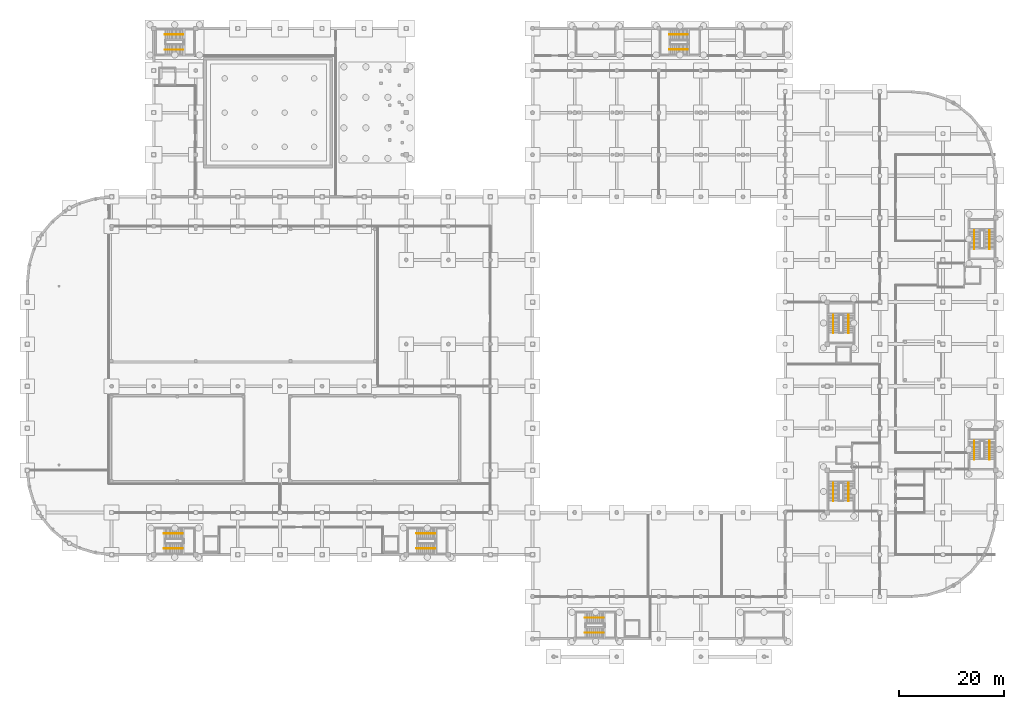
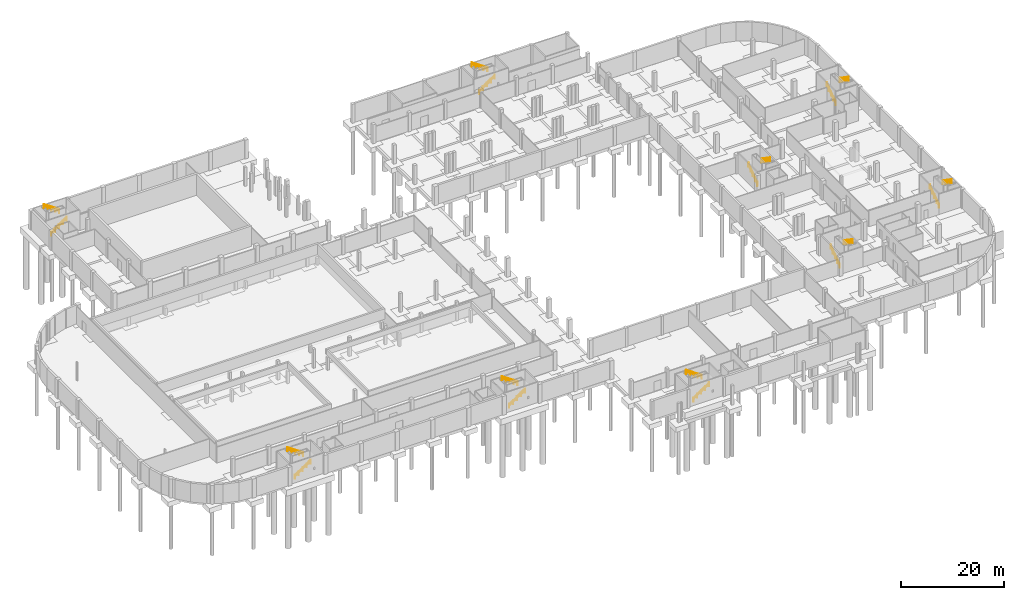
# One storey, part 29 of 29: 18 railings.
"""IFC4 building model written with IfcOpenShell, lengths in metres."""

from ifc_helpers import new_model, si_unit, direction, frame, origin, origin_2d, place, context, subcontext, project, spatial, circle, extrude, material, type_object, element, save


model = new_model("IFC4")

# Units and contexts
model_context = context("Model", 3, precision=1e-05, world=origin(), true_north=direction((0.0, 1.0)))
body_context = subcontext(model_context, "Body", "Model", "MODEL_VIEW")
ifc_project = project(units=[si_unit("LENGTHUNIT", "METRE"), si_unit("AREAUNIT", "SQUARE_METRE"), si_unit("VOLUMEUNIT", "CUBIC_METRE"), si_unit("PLANEANGLEUNIT", "RADIAN"), si_unit("MASSUNIT", "GRAM", prefix="KILO")], contexts=[model_context])

# Site, building, storey
site_placement = place(None, origin())
site = spatial("IfcSite", under=ifc_project, at=site_placement, CompositionType="ELEMENT")
building_placement = place(site_placement, origin())
building = spatial("IfcBuilding", under=site, at=building_placement, Name="Drelvana Railside Aquatics Centre", CompositionType="ELEMENT")
storey_placement = place(building_placement, frame((0.0, 0.0, -4.800048828125)))
storey = spatial("IfcBuildingStorey", under=building, at=storey_placement, Name="B1", CompositionType="ELEMENT", Elevation=-4.800048828125)

# Railings
ifc_material = material(Name="Brushed stainless steel stair pitch handrail", Category="steel")
railing_type = type_object("IfcRailingType", Name="RAL-HANDRAIL-950", PredefinedType="HANDRAIL", material=ifc_material)
railing_1_placement = place(storey_placement, frame((25.969970703125, 17.175048828125, 0.0)))
element("IfcRailing", 1, at=railing_1_placement, inside=storey, type_object=railing_type, Name="Stair ST-01 flight 1 handrail (B1)", PredefinedType="HANDRAIL", context=body_context, shape_type="SweptSolid", body=[
    extrude(circle(Radius=0.02392578125, at=origin_2d()), frame((0.0, 0.0, 0.92578125), z_axis=(0.824712752785, 0.0, 0.565551832633), x_axis=(0.0, 1.0, 0.0)), (0.0, 0.0, 1.0), 4.243896484375),
    extrude(circle(Radius=0.02392578125, at=origin_2d()), frame((0.0, 0.0, 0.47509765625), z_axis=(0.824712752785, 0.0, 0.565551832633), x_axis=(0.0, 1.0, 0.0)), (0.0, 0.0, 1.0), 4.243896484375),
    extrude(circle(Radius=0.02099609375, at=origin_2d()), origin(), (0.0, 0.0, 1.0), 0.90185546875),
    extrude(circle(Radius=0.02099609375, at=origin_2d()), frame((0.875, 0.0, 0.60009765625)), (0.0, 0.0, 1.0), 0.90185546875),
    extrude(circle(Radius=0.02099609375, at=origin_2d()), frame((1.75, 0.0, 1.2001953125)), (0.0, 0.0, 1.0), 0.90185546875),
    extrude(circle(Radius=0.02099609375, at=origin_2d()), frame((2.625, 0.0, 1.800048828125)), (0.0, 0.0, 1.0), 0.90185546875),
    extrude(circle(Radius=0.02099609375, at=origin_2d()), frame((3.5, 0.0, 2.400146484375)), (0.0, 0.0, 1.0), 0.90185546875),
])
railing_2_placement = place(storey_placement, frame((29.469970703125, 20.02490234375, 2.400146484375)))
element("IfcRailing", 2, at=railing_2_placement, inside=storey, type_object=railing_type, Name="Stair ST-01 flight 2 handrail (B1)", PredefinedType="HANDRAIL", context=body_context, shape_type="SweptSolid", body=[
    extrude(circle(Radius=0.02392578125, at=origin_2d()), frame((0.0, 0.0, 0.92578125), z_axis=(-0.824739584531, 0.0, 0.5655127034), x_axis=(0.0, -1.0, 0.0)), (0.0, 0.0, 1.0), 4.24365234375),
    extrude(circle(Radius=0.02392578125, at=origin_2d()), frame((0.0, 0.0, 0.47509765625), z_axis=(-0.824739584531, 0.0, 0.5655127034), x_axis=(0.0, -1.0, 0.0)), (0.0, 0.0, 1.0), 4.24365234375),
    extrude(circle(Radius=0.02099609375, at=origin_2d()), origin(), (0.0, 0.0, 1.0), 0.90185546875),
    extrude(circle(Radius=0.02099609375, at=origin_2d()), frame((-0.875, 0.0, 0.60009765625)), (0.0, 0.0, 1.0), 0.90185546875),
    extrude(circle(Radius=0.02099609375, at=origin_2d()), frame((-1.75, 0.0, 1.199951171875)), (0.0, 0.0, 1.0), 0.90185546875),
    extrude(circle(Radius=0.02099609375, at=origin_2d()), frame((-2.625, 0.0, 1.7998046875)), (0.0, 0.0, 1.0), 0.90185546875),
    extrude(circle(Radius=0.02099609375, at=origin_2d()), frame((-3.5, 0.0, 2.39990234375)), (0.0, 0.0, 1.0), 0.90185546875),
])
railing_3_placement = place(storey_placement, frame((73.969970703125, 17.175048828125, 0.0)))
element("IfcRailing", 3, at=railing_3_placement, inside=storey, type_object=railing_type, Name="Stair ST-02 flight 1 handrail (B1)", PredefinedType="HANDRAIL", context=body_context, shape_type="SweptSolid", body=[
    extrude(circle(Radius=0.02392578125, at=origin_2d()), frame((0.0, 0.0, 0.92578125), z_axis=(0.824712752785, 0.0, 0.565551832633), x_axis=(0.0, 1.0, 0.0)), (0.0, 0.0, 1.0), 4.243896484375),
    extrude(circle(Radius=0.02392578125, at=origin_2d()), frame((0.0, 0.0, 0.47509765625), z_axis=(0.824712752785, 0.0, 0.565551832633), x_axis=(0.0, 1.0, 0.0)), (0.0, 0.0, 1.0), 4.243896484375),
    extrude(circle(Radius=0.02099609375, at=origin_2d()), origin(), (0.0, 0.0, 1.0), 0.90185546875),
    extrude(circle(Radius=0.02099609375, at=origin_2d()), frame((0.875, 0.0, 0.60009765625)), (0.0, 0.0, 1.0), 0.90185546875),
    extrude(circle(Radius=0.02099609375, at=origin_2d()), frame((1.75, 0.0, 1.2001953125)), (0.0, 0.0, 1.0), 0.90185546875),
    extrude(circle(Radius=0.02099609375, at=origin_2d()), frame((2.625, 0.0, 1.800048828125)), (0.0, 0.0, 1.0), 0.90185546875),
    extrude(circle(Radius=0.02099609375, at=origin_2d()), frame((3.5, 0.0, 2.400146484375)), (0.0, 0.0, 1.0), 0.90185546875),
])
railing_4_placement = place(storey_placement, frame((77.469970703125, 20.02490234375, 2.400146484375)))
element("IfcRailing", 4, at=railing_4_placement, inside=storey, type_object=railing_type, Name="Stair ST-02 flight 2 handrail (B1)", PredefinedType="HANDRAIL", context=body_context, shape_type="SweptSolid", body=[
    extrude(circle(Radius=0.02392578125, at=origin_2d()), frame((0.0, 0.0, 0.92578125), z_axis=(-0.824739584531, 0.0, 0.5655127034), x_axis=(0.0, -1.0, 0.0)), (0.0, 0.0, 1.0), 4.24365234375),
    extrude(circle(Radius=0.02392578125, at=origin_2d()), frame((0.0, 0.0, 0.47509765625), z_axis=(-0.824739584531, 0.0, 0.5655127034), x_axis=(0.0, -1.0, 0.0)), (0.0, 0.0, 1.0), 4.24365234375),
    extrude(circle(Radius=0.02099609375, at=origin_2d()), origin(), (0.0, 0.0, 1.0), 0.90185546875),
    extrude(circle(Radius=0.02099609375, at=origin_2d()), frame((-0.875, 0.0, 0.60009765625)), (0.0, 0.0, 1.0), 0.90185546875),
    extrude(circle(Radius=0.02099609375, at=origin_2d()), frame((-1.75, 0.0, 1.199951171875)), (0.0, 0.0, 1.0), 0.90185546875),
    extrude(circle(Radius=0.02099609375, at=origin_2d()), frame((-2.625, 0.0, 1.7998046875)), (0.0, 0.0, 1.0), 0.90185546875),
    extrude(circle(Radius=0.02099609375, at=origin_2d()), frame((-3.5, 0.0, 2.39990234375)), (0.0, 0.0, 1.0), 0.90185546875),
])
railing_5_placement = place(storey_placement, frame((26.1201171875, 111.949951171875, 0.0)))
element("IfcRailing", 5, at=railing_5_placement, inside=storey, type_object=railing_type, Name="Stair ST-03 flight 1 handrail (B1)", PredefinedType="HANDRAIL", context=body_context, shape_type="SweptSolid", body=[
    extrude(circle(Radius=0.02392578125, at=origin_2d()), frame((0.0, 0.0, 0.92578125), z_axis=(0.824712752785, 0.0, 0.565551832633), x_axis=(0.0, 1.0, 0.0)), (0.0, 0.0, 1.0), 4.243896484375),
    extrude(circle(Radius=0.02392578125, at=origin_2d()), frame((0.0, 0.0, 0.47509765625), z_axis=(0.824712752785, 0.0, 0.565551832633), x_axis=(0.0, 1.0, 0.0)), (0.0, 0.0, 1.0), 4.243896484375),
    extrude(circle(Radius=0.02099609375, at=origin_2d()), origin(), (0.0, 0.0, 1.0), 0.90185546875),
    extrude(circle(Radius=0.02099609375, at=origin_2d()), frame((0.875, 0.0, 0.60009765625)), (0.0, 0.0, 1.0), 0.90185546875),
    extrude(circle(Radius=0.02099609375, at=origin_2d()), frame((1.75, 0.0, 1.2001953125)), (0.0, 0.0, 1.0), 0.90185546875),
    extrude(circle(Radius=0.02099609375, at=origin_2d()), frame((2.625, 0.0, 1.800048828125)), (0.0, 0.0, 1.0), 0.90185546875),
    extrude(circle(Radius=0.02099609375, at=origin_2d()), frame((3.5, 0.0, 2.400146484375)), (0.0, 0.0, 1.0), 0.90185546875),
])
railing_6_placement = place(storey_placement, frame((29.6201171875, 114.85009765625, 2.400146484375)))
element("IfcRailing", 6, at=railing_6_placement, inside=storey, type_object=railing_type, Name="Stair ST-03 flight 2 handrail (B1)", PredefinedType="HANDRAIL", context=body_context, shape_type="SweptSolid", body=[
    extrude(circle(Radius=0.02392578125, at=origin_2d()), frame((0.0, 0.0, 0.92578125), z_axis=(-0.824739584531, 0.0, 0.5655127034), x_axis=(0.0, -1.0, 0.0)), (0.0, 0.0, 1.0), 4.24365234375),
    extrude(circle(Radius=0.02392578125, at=origin_2d()), frame((0.0, 0.0, 0.47509765625), z_axis=(-0.824739584531, 0.0, 0.5655127034), x_axis=(0.0, -1.0, 0.0)), (0.0, 0.0, 1.0), 4.24365234375),
    extrude(circle(Radius=0.02099609375, at=origin_2d()), origin(), (0.0, 0.0, 1.0), 0.90185546875),
    extrude(circle(Radius=0.02099609375, at=origin_2d()), frame((-0.875, 0.0, 0.60009765625)), (0.0, 0.0, 1.0), 0.90185546875),
    extrude(circle(Radius=0.02099609375, at=origin_2d()), frame((-1.75, 0.0, 1.199951171875)), (0.0, 0.0, 1.0), 0.90185546875),
    extrude(circle(Radius=0.02099609375, at=origin_2d()), frame((-2.625, 0.0, 1.7998046875)), (0.0, 0.0, 1.0), 0.90185546875),
    extrude(circle(Radius=0.02099609375, at=origin_2d()), frame((-3.5, 0.0, 2.39990234375)), (0.0, 0.0, 1.0), 0.90185546875),
])
railing_7_placement = place(storey_placement, frame((105.969970703125, 1.175048828125, 0.0)))
element("IfcRailing", 7, at=railing_7_placement, inside=storey, type_object=railing_type, Name="Stair ST-04 flight 1 handrail (B1)", PredefinedType="HANDRAIL", context=body_context, shape_type="SweptSolid", body=[
    extrude(circle(Radius=0.02392578125, at=origin_2d()), frame((0.0, 0.0, 0.92578125), z_axis=(0.824712752785, 0.0, 0.565551832633), x_axis=(0.0, 1.0, 0.0)), (0.0, 0.0, 1.0), 4.243896484375),
    extrude(circle(Radius=0.02392578125, at=origin_2d()), frame((0.0, 0.0, 0.47509765625), z_axis=(0.824712752785, 0.0, 0.565551832633), x_axis=(0.0, 1.0, 0.0)), (0.0, 0.0, 1.0), 4.243896484375),
    extrude(circle(Radius=0.02099609375, at=origin_2d()), origin(), (0.0, 0.0, 1.0), 0.90185546875),
    extrude(circle(Radius=0.02099609375, at=origin_2d()), frame((0.875, 0.0, 0.60009765625)), (0.0, 0.0, 1.0), 0.90185546875),
    extrude(circle(Radius=0.02099609375, at=origin_2d()), frame((1.75, 0.0, 1.2001953125)), (0.0, 0.0, 1.0), 0.90185546875),
    extrude(circle(Radius=0.02099609375, at=origin_2d()), frame((2.625, 0.0, 1.800048828125)), (0.0, 0.0, 1.0), 0.90185546875),
    extrude(circle(Radius=0.02099609375, at=origin_2d()), frame((3.5, 0.0, 2.400146484375)), (0.0, 0.0, 1.0), 0.90185546875),
])
railing_8_placement = place(storey_placement, frame((109.469970703125, 4.02490234375, 2.400146484375)))
element("IfcRailing", 8, at=railing_8_placement, inside=storey, type_object=railing_type, Name="Stair ST-04 flight 2 handrail (B1)", PredefinedType="HANDRAIL", context=body_context, shape_type="SweptSolid", body=[
    extrude(circle(Radius=0.02392578125, at=origin_2d()), frame((0.0, 0.0, 0.92578125), z_axis=(-0.824739584531, 0.0, 0.5655127034), x_axis=(0.0, -1.0, 0.0)), (0.0, 0.0, 1.0), 4.24365234375),
    extrude(circle(Radius=0.02392578125, at=origin_2d()), frame((0.0, 0.0, 0.47509765625), z_axis=(-0.824739584531, 0.0, 0.5655127034), x_axis=(0.0, -1.0, 0.0)), (0.0, 0.0, 1.0), 4.24365234375),
    extrude(circle(Radius=0.02099609375, at=origin_2d()), origin(), (0.0, 0.0, 1.0), 0.90185546875),
    extrude(circle(Radius=0.02099609375, at=origin_2d()), frame((-0.875, 0.0, 0.60009765625)), (0.0, 0.0, 1.0), 0.90185546875),
    extrude(circle(Radius=0.02099609375, at=origin_2d()), frame((-1.75, 0.0, 1.199951171875)), (0.0, 0.0, 1.0), 0.90185546875),
    extrude(circle(Radius=0.02099609375, at=origin_2d()), frame((-2.625, 0.0, 1.7998046875)), (0.0, 0.0, 1.0), 0.90185546875),
    extrude(circle(Radius=0.02099609375, at=origin_2d()), frame((-3.5, 0.0, 2.39990234375)), (0.0, 0.0, 1.0), 0.90185546875),
])
railing_9_placement = place(storey_placement, frame((121.969970703125, 111.97509765625, 0.0)))
element("IfcRailing", 9, at=railing_9_placement, inside=storey, type_object=railing_type, Name="Stair ST-05 flight 1 handrail (B1)", PredefinedType="HANDRAIL", context=body_context, shape_type="SweptSolid", body=[
    extrude(circle(Radius=0.02392578125, at=origin_2d()), frame((0.0, 0.0, 0.92578125), z_axis=(0.824712752785, 0.0, 0.565551832633), x_axis=(0.0, 1.0, 0.0)), (0.0, 0.0, 1.0), 4.243896484375),
    extrude(circle(Radius=0.02392578125, at=origin_2d()), frame((0.0, 0.0, 0.47509765625), z_axis=(0.824712752785, 0.0, 0.565551832633), x_axis=(0.0, 1.0, 0.0)), (0.0, 0.0, 1.0), 4.243896484375),
    extrude(circle(Radius=0.02099609375, at=origin_2d()), origin(), (0.0, 0.0, 1.0), 0.90185546875),
    extrude(circle(Radius=0.02099609375, at=origin_2d()), frame((0.875, 0.0, 0.60009765625)), (0.0, 0.0, 1.0), 0.90185546875),
    extrude(circle(Radius=0.02099609375, at=origin_2d()), frame((1.75, 0.0, 1.2001953125)), (0.0, 0.0, 1.0), 0.90185546875),
    extrude(circle(Radius=0.02099609375, at=origin_2d()), frame((2.625, 0.0, 1.800048828125)), (0.0, 0.0, 1.0), 0.90185546875),
    extrude(circle(Radius=0.02099609375, at=origin_2d()), frame((3.5, 0.0, 2.400146484375)), (0.0, 0.0, 1.0), 0.90185546875),
])
railing_10_placement = place(storey_placement, frame((125.469970703125, 114.824951171875, 2.400146484375)))
element("IfcRailing", 10, at=railing_10_placement, inside=storey, type_object=railing_type, Name="Stair ST-05 flight 2 handrail (B1)", PredefinedType="HANDRAIL", context=body_context, shape_type="SweptSolid", body=[
    extrude(circle(Radius=0.02392578125, at=origin_2d()), frame((0.0, 0.0, 0.92578125), z_axis=(-0.824739584531, 0.0, 0.5655127034), x_axis=(0.0, -1.0, 0.0)), (0.0, 0.0, 1.0), 4.24365234375),
    extrude(circle(Radius=0.02392578125, at=origin_2d()), frame((0.0, 0.0, 0.47509765625), z_axis=(-0.824739584531, 0.0, 0.5655127034), x_axis=(0.0, -1.0, 0.0)), (0.0, 0.0, 1.0), 4.24365234375),
    extrude(circle(Radius=0.02099609375, at=origin_2d()), origin(), (0.0, 0.0, 1.0), 0.90185546875),
    extrude(circle(Radius=0.02099609375, at=origin_2d()), frame((-0.875, 0.0, 0.60009765625)), (0.0, 0.0, 1.0), 0.90185546875),
    extrude(circle(Radius=0.02099609375, at=origin_2d()), frame((-1.75, 0.0, 1.199951171875)), (0.0, 0.0, 1.0), 0.90185546875),
    extrude(circle(Radius=0.02099609375, at=origin_2d()), frame((-2.625, 0.0, 1.7998046875)), (0.0, 0.0, 1.0), 0.90185546875),
    extrude(circle(Radius=0.02099609375, at=origin_2d()), frame((-3.5, 0.0, 2.39990234375)), (0.0, 0.0, 1.0), 0.90185546875),
])
railing_11_placement = place(storey_placement, frame((153.14990234375, 26.14990234375, 0.0)))
element("IfcRailing", 11, at=railing_11_placement, inside=storey, type_object=railing_type, Name="Stair ST-06 flight 1 handrail (B1)", PredefinedType="HANDRAIL", context=body_context, shape_type="SweptSolid", body=[
    extrude(circle(Radius=0.02392578125, at=origin_2d()), frame((0.0, 0.0, 0.92578125), z_axis=(0.0, 0.824712752785, 0.565551832633), x_axis=(-1.0, 0.0, 0.0)), (0.0, 0.0, 1.0), 4.243896484375),
    extrude(circle(Radius=0.02392578125, at=origin_2d()), frame((0.0, 0.0, 0.47509765625), z_axis=(0.0, 0.824712752785, 0.565551832633), x_axis=(-1.0, 0.0, 0.0)), (0.0, 0.0, 1.0), 4.243896484375),
    extrude(circle(Radius=0.02099609375, at=origin_2d()), origin(), (0.0, 0.0, 1.0), 0.90185546875),
    extrude(circle(Radius=0.02099609375, at=origin_2d()), frame((0.0, 0.875, 0.60009765625)), (0.0, 0.0, 1.0), 0.90185546875),
    extrude(circle(Radius=0.02099609375, at=origin_2d()), frame((0.0, 1.75, 1.2001953125)), (0.0, 0.0, 1.0), 0.90185546875),
    extrude(circle(Radius=0.02099609375, at=origin_2d()), frame((0.0, 2.625, 1.800048828125)), (0.0, 0.0, 1.0), 0.90185546875),
    extrude(circle(Radius=0.02099609375, at=origin_2d()), frame((0.0, 3.5, 2.400146484375)), (0.0, 0.0, 1.0), 0.90185546875),
])
railing_12_placement = place(storey_placement, frame((156.050048828125, 29.64990234375, 2.400146484375)))
element("IfcRailing", 12, at=railing_12_placement, inside=storey, type_object=railing_type, Name="Stair ST-06 flight 2 handrail (B1)", PredefinedType="HANDRAIL", context=body_context, shape_type="SweptSolid", body=[
    extrude(circle(Radius=0.02392578125, at=origin_2d()), frame((0.0, 0.0, 0.92578125), z_axis=(0.0, -0.824739584531, 0.5655127034), x_axis=(1.0, 0.0, 0.0)), (0.0, 0.0, 1.0), 4.24365234375),
    extrude(circle(Radius=0.02392578125, at=origin_2d()), frame((0.0, 0.0, 0.47509765625), z_axis=(0.0, -0.824739584531, 0.5655127034), x_axis=(1.0, 0.0, 0.0)), (0.0, 0.0, 1.0), 4.24365234375),
    extrude(circle(Radius=0.02099609375, at=origin_2d()), origin(), (0.0, 0.0, 1.0), 0.90185546875),
    extrude(circle(Radius=0.02099609375, at=origin_2d()), frame((0.0, -0.875, 0.60009765625)), (0.0, 0.0, 1.0), 0.90185546875),
    extrude(circle(Radius=0.02099609375, at=origin_2d()), frame((0.0, -1.75, 1.199951171875)), (0.0, 0.0, 1.0), 0.90185546875),
    extrude(circle(Radius=0.02099609375, at=origin_2d()), frame((0.0, -2.625, 1.7998046875)), (0.0, 0.0, 1.0), 0.90185546875),
    extrude(circle(Radius=0.02099609375, at=origin_2d()), frame((0.0, -3.5, 2.39990234375)), (0.0, 0.0, 1.0), 0.90185546875),
])
railing_13_placement = place(storey_placement, frame((179.949951171875, 74.090087890625, 0.0)))
element("IfcRailing", 13, at=railing_13_placement, inside=storey, type_object=railing_type, Name="Stair ST-07 flight 1 handrail (B1)", PredefinedType="HANDRAIL", context=body_context, shape_type="SweptSolid", body=[
    extrude(circle(Radius=0.02392578125, at=origin_2d()), frame((0.0, 0.0, 0.92578125), z_axis=(0.0, 0.824712752785, 0.565551832633), x_axis=(-1.0, 0.0, 0.0)), (0.0, 0.0, 1.0), 4.243896484375),
    extrude(circle(Radius=0.02392578125, at=origin_2d()), frame((0.0, 0.0, 0.47509765625), z_axis=(0.0, 0.824712752785, 0.565551832633), x_axis=(-1.0, 0.0, 0.0)), (0.0, 0.0, 1.0), 4.243896484375),
    extrude(circle(Radius=0.02099609375, at=origin_2d()), origin(), (0.0, 0.0, 1.0), 0.90185546875),
    extrude(circle(Radius=0.02099609375, at=origin_2d()), frame((0.0, 0.875, 0.60009765625)), (0.0, 0.0, 1.0), 0.90185546875),
    extrude(circle(Radius=0.02099609375, at=origin_2d()), frame((0.0, 1.75, 1.2001953125)), (0.0, 0.0, 1.0), 0.90185546875),
    extrude(circle(Radius=0.02099609375, at=origin_2d()), frame((0.0, 2.625, 1.800048828125)), (0.0, 0.0, 1.0), 0.90185546875),
    extrude(circle(Radius=0.02099609375, at=origin_2d()), frame((0.0, 3.5, 2.400146484375)), (0.0, 0.0, 1.0), 0.90185546875),
])
railing_14_placement = place(storey_placement, frame((182.85009765625, 77.590087890625, 2.400146484375)))
element("IfcRailing", 14, at=railing_14_placement, inside=storey, type_object=railing_type, Name="Stair ST-07 flight 2 handrail (B1)", PredefinedType="HANDRAIL", context=body_context, shape_type="SweptSolid", body=[
    extrude(circle(Radius=0.02392578125, at=origin_2d()), frame((0.0, 0.0, 0.92578125), z_axis=(0.0, -0.824739584531, 0.5655127034), x_axis=(1.0, 0.0, 0.0)), (0.0, 0.0, 1.0), 4.24365234375),
    extrude(circle(Radius=0.02392578125, at=origin_2d()), frame((0.0, 0.0, 0.47509765625), z_axis=(0.0, -0.824739584531, 0.5655127034), x_axis=(1.0, 0.0, 0.0)), (0.0, 0.0, 1.0), 4.24365234375),
    extrude(circle(Radius=0.02099609375, at=origin_2d()), origin(), (0.0, 0.0, 1.0), 0.90185546875),
    extrude(circle(Radius=0.02099609375, at=origin_2d()), frame((0.0, -0.875, 0.60009765625)), (0.0, 0.0, 1.0), 0.90185546875),
    extrude(circle(Radius=0.02099609375, at=origin_2d()), frame((0.0, -1.75, 1.199951171875)), (0.0, 0.0, 1.0), 0.90185546875),
    extrude(circle(Radius=0.02099609375, at=origin_2d()), frame((0.0, -2.625, 1.7998046875)), (0.0, 0.0, 1.0), 0.90185546875),
    extrude(circle(Radius=0.02099609375, at=origin_2d()), frame((0.0, -3.5, 2.39990234375)), (0.0, 0.0, 1.0), 0.90185546875),
])
railing_15_placement = place(storey_placement, frame((153.159912109375, 58.090087890625, 0.0)))
element("IfcRailing", 15, at=railing_15_placement, inside=storey, type_object=railing_type, Name="Stair ST-08 flight 1 handrail (B1)", PredefinedType="HANDRAIL", context=body_context, shape_type="SweptSolid", body=[
    extrude(circle(Radius=0.02392578125, at=origin_2d()), frame((0.0, 0.0, 0.92578125), z_axis=(0.0, 0.824712752785, 0.565551832633), x_axis=(-1.0, 0.0, 0.0)), (0.0, 0.0, 1.0), 4.243896484375),
    extrude(circle(Radius=0.02392578125, at=origin_2d()), frame((0.0, 0.0, 0.47509765625), z_axis=(0.0, 0.824712752785, 0.565551832633), x_axis=(-1.0, 0.0, 0.0)), (0.0, 0.0, 1.0), 4.243896484375),
    extrude(circle(Radius=0.02099609375, at=origin_2d()), origin(), (0.0, 0.0, 1.0), 0.90185546875),
    extrude(circle(Radius=0.02099609375, at=origin_2d()), frame((0.0, 0.875, 0.60009765625)), (0.0, 0.0, 1.0), 0.90185546875),
    extrude(circle(Radius=0.02099609375, at=origin_2d()), frame((0.0, 1.75, 1.2001953125)), (0.0, 0.0, 1.0), 0.90185546875),
    extrude(circle(Radius=0.02099609375, at=origin_2d()), frame((0.0, 2.625, 1.800048828125)), (0.0, 0.0, 1.0), 0.90185546875),
    extrude(circle(Radius=0.02099609375, at=origin_2d()), frame((0.0, 3.5, 2.400146484375)), (0.0, 0.0, 1.0), 0.90185546875),
])
railing_16_placement = place(storey_placement, frame((156.0400390625, 61.590087890625, 2.400146484375)))
element("IfcRailing", 16, at=railing_16_placement, inside=storey, type_object=railing_type, Name="Stair ST-08 flight 2 handrail (B1)", PredefinedType="HANDRAIL", context=body_context, shape_type="SweptSolid", body=[
    extrude(circle(Radius=0.02392578125, at=origin_2d()), frame((0.0, 0.0, 0.92578125), z_axis=(0.0, -0.824739584531, 0.5655127034), x_axis=(1.0, 0.0, 0.0)), (0.0, 0.0, 1.0), 4.24365234375),
    extrude(circle(Radius=0.02392578125, at=origin_2d()), frame((0.0, 0.0, 0.47509765625), z_axis=(0.0, -0.824739584531, 0.5655127034), x_axis=(1.0, 0.0, 0.0)), (0.0, 0.0, 1.0), 4.24365234375),
    extrude(circle(Radius=0.02099609375, at=origin_2d()), origin(), (0.0, 0.0, 1.0), 0.90185546875),
    extrude(circle(Radius=0.02099609375, at=origin_2d()), frame((0.0, -0.875, 0.60009765625)), (0.0, 0.0, 1.0), 0.90185546875),
    extrude(circle(Radius=0.02099609375, at=origin_2d()), frame((0.0, -1.75, 1.199951171875)), (0.0, 0.0, 1.0), 0.90185546875),
    extrude(circle(Radius=0.02099609375, at=origin_2d()), frame((0.0, -2.625, 1.7998046875)), (0.0, 0.0, 1.0), 0.90185546875),
    extrude(circle(Radius=0.02099609375, at=origin_2d()), frame((0.0, -3.5, 2.39990234375)), (0.0, 0.0, 1.0), 0.90185546875),
])
railing_17_placement = place(storey_placement, frame((179.9599609375, 34.090087890625, 0.0)))
element("IfcRailing", 17, at=railing_17_placement, inside=storey, type_object=railing_type, Name="Stair ST-09 flight 1 handrail (B1)", PredefinedType="HANDRAIL", context=body_context, shape_type="SweptSolid", body=[
    extrude(circle(Radius=0.02392578125, at=origin_2d()), frame((0.0, 0.0, 0.92578125), z_axis=(0.0, 0.824712752785, 0.565551832633), x_axis=(-1.0, 0.0, 0.0)), (0.0, 0.0, 1.0), 4.243896484375),
    extrude(circle(Radius=0.02392578125, at=origin_2d()), frame((0.0, 0.0, 0.47509765625), z_axis=(0.0, 0.824712752785, 0.565551832633), x_axis=(-1.0, 0.0, 0.0)), (0.0, 0.0, 1.0), 4.243896484375),
    extrude(circle(Radius=0.02099609375, at=origin_2d()), origin(), (0.0, 0.0, 1.0), 0.90185546875),
    extrude(circle(Radius=0.02099609375, at=origin_2d()), frame((0.0, 0.875, 0.60009765625)), (0.0, 0.0, 1.0), 0.90185546875),
    extrude(circle(Radius=0.02099609375, at=origin_2d()), frame((0.0, 1.75, 1.2001953125)), (0.0, 0.0, 1.0), 0.90185546875),
    extrude(circle(Radius=0.02099609375, at=origin_2d()), frame((0.0, 2.625, 1.800048828125)), (0.0, 0.0, 1.0), 0.90185546875),
    extrude(circle(Radius=0.02099609375, at=origin_2d()), frame((0.0, 3.5, 2.400146484375)), (0.0, 0.0, 1.0), 0.90185546875),
])
railing_18_placement = place(storey_placement, frame((182.840087890625, 37.590087890625, 2.400146484375)))
element("IfcRailing", 18, at=railing_18_placement, inside=storey, type_object=railing_type, Name="Stair ST-09 flight 2 handrail (B1)", PredefinedType="HANDRAIL", context=body_context, shape_type="SweptSolid", body=[
    extrude(circle(Radius=0.02392578125, at=origin_2d()), frame((0.0, 0.0, 0.92578125), z_axis=(0.0, -0.824739584531, 0.5655127034), x_axis=(1.0, 0.0, 0.0)), (0.0, 0.0, 1.0), 4.24365234375),
    extrude(circle(Radius=0.02392578125, at=origin_2d()), frame((0.0, 0.0, 0.47509765625), z_axis=(0.0, -0.824739584531, 0.5655127034), x_axis=(1.0, 0.0, 0.0)), (0.0, 0.0, 1.0), 4.24365234375),
    extrude(circle(Radius=0.02099609375, at=origin_2d()), origin(), (0.0, 0.0, 1.0), 0.90185546875),
    extrude(circle(Radius=0.02099609375, at=origin_2d()), frame((0.0, -0.875, 0.60009765625)), (0.0, 0.0, 1.0), 0.90185546875),
    extrude(circle(Radius=0.02099609375, at=origin_2d()), frame((0.0, -1.75, 1.199951171875)), (0.0, 0.0, 1.0), 0.90185546875),
    extrude(circle(Radius=0.02099609375, at=origin_2d()), frame((0.0, -2.625, 1.7998046875)), (0.0, 0.0, 1.0), 0.90185546875),
    extrude(circle(Radius=0.02099609375, at=origin_2d()), frame((0.0, -3.5, 2.39990234375)), (0.0, 0.0, 1.0), 0.90185546875),
])

save(model, "model.ifc")
